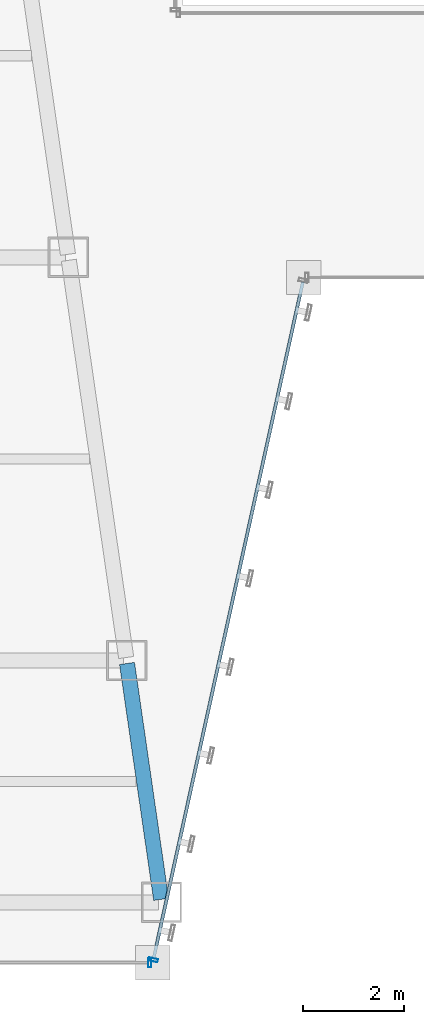
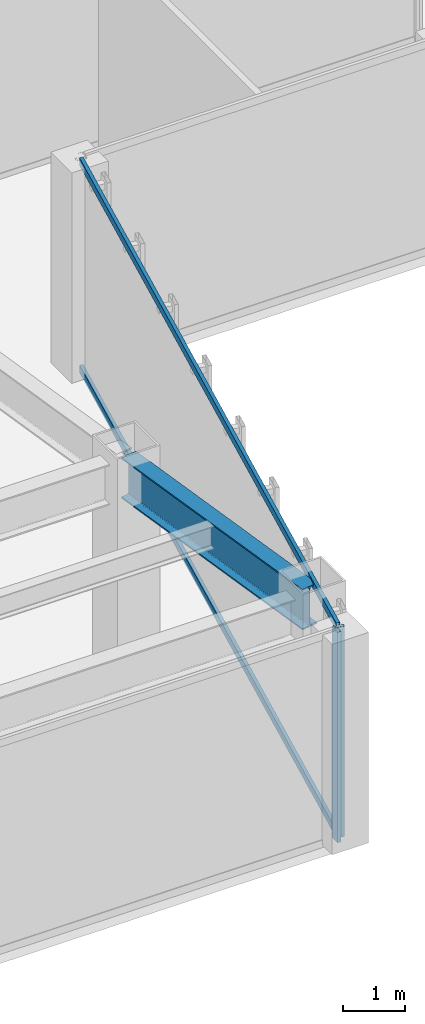
# One storey, part 7 of 47: 4 members, 1 beam, 2 elements without a shape of their own.
"""IFC4 building model written with IfcOpenShell, lengths in metres."""

from ifc_helpers import new_model, si_unit, direction, frame, origin, origin_2d, place, context, subcontext, project, spatial, hollow_rectangle, i_section, extrude, material, material_profile, profile_set, type_object, element, aggregate, save


model = new_model("IFC4")

# Units and contexts
model_context = context("Model", 3, precision=1e-05, world=origin(), true_north=direction((0.0, 1.0)))
body_context = subcontext(model_context, "Body", "Model", "MODEL_VIEW")
ifc_project = project(units=[si_unit("LENGTHUNIT", "METRE"), si_unit("AREAUNIT", "SQUARE_METRE"), si_unit("VOLUMEUNIT", "CUBIC_METRE"), si_unit("PLANEANGLEUNIT", "RADIAN"), si_unit("MASSUNIT", "GRAM", prefix="KILO")], contexts=[model_context])

# Site, building, storey
site_placement = place(None, origin())
site = spatial("IfcSite", under=ifc_project, at=site_placement, CompositionType="ELEMENT")
building_placement = place(site_placement, origin())
building = spatial("IfcBuilding", under=site, at=building_placement, Name="Saevonmaru Cultural Tower", CompositionType="ELEMENT")
storey_placement = place(building_placement, frame((0.0, 0.0, 64.800048828125)))
storey = spatial("IfcBuildingStorey", under=building, at=storey_placement, Name="L13", CompositionType="ELEMENT", Elevation=64.800048828125)

# Beam
ifc_material_1 = material(Name="Steel SM420", Category="steel")
ifc_material_profile_1 = material_profile(ifc_material_1, i_section(OverallWidth=0.300048828125, OverallDepth=0.800048828125, WebThickness=0.013916015625, FlangeThickness=0.02587890625, FilletRadius=0.028076171875, at=origin_2d()), Name="H-800x300x14x26")
ifc_profile_set_1 = profile_set([ifc_material_profile_1], Name="Steel SM420")
beam_type = type_object("IfcBeamType", Name="BM-G-H800", PredefinedType="BEAM", material=ifc_profile_set_1)
beam_placement = place(storey_placement, frame((23.768310546875, 3.259521484375, 3.75), z_axis=(-0.143083234893, 0.989710658674, 0.0), x_axis=(-0.989710658674, -0.143083234893, 0.0)))
element("IfcBeam", 1, at=beam_placement, inside=storey, type_object=beam_type, Name="L13 West Atrium Girder 1", PredefinedType="BEAM", context=body_context, shape_type="SweptSolid", body=[
    extrude(i_section(OverallWidth=0.300048828125, OverallDepth=0.800048828125, WebThickness=0.013916015625, FlangeThickness=0.02587890625, FilletRadius=0.028076171875, at=origin_2d()), origin(), (0.0, 0.0, 1.0), 4.729736328125),
])

# Curtain wall, member
ifc_material_2 = material(Name="Satin Bronze Anodised Aluminium", Category="aluminium")
curtain_wall_type = type_object("IfcCurtainWallType", Name="CW-TYP-A", PredefinedType="NOTDEFINED", material=ifc_material_2)
curtain_wall_1_placement = place(storey_placement, origin())
curtain_wall_1 = element("IfcCurtainWall", 2, at=curtain_wall_1_placement, inside=storey, type_object=curtain_wall_type, Name="L13 Unitised Curtain Wall E2", PredefinedType="NOTDEFINED")
ifc_material_profile_2 = material_profile(ifc_material_2, hollow_rectangle(XDim=0.06494140625, YDim=0.179931640625, WallThickness=0.00390625, at=origin_2d()), Name="ALU-MULL-180x65x4")
ifc_profile_set_2 = profile_set([ifc_material_profile_2], Name="Satin Bronze Anodised Aluminium")
member_type_1 = type_object("IfcMemberType", Name="ML-CW-180x65", PredefinedType="MULLION", material=ifc_profile_set_2)
member_1_placement = place(storey_placement, frame((23.5400390625, 2.0, 0.0), z_axis=(0.0, 0.0, 1.0), x_axis=(1.0, 0.0, 0.0)))
member_1 = element("IfcMember", 3, at=member_1_placement, type_object=member_type_1, Name="CW-TW-L13-E2 mullion 2", PredefinedType="MULLION", context=body_context, shape_type="SweptSolid", body=[
    extrude(hollow_rectangle(XDim=0.06494140625, YDim=0.179931640625, WallThickness=0.00390625, at=origin_2d()), origin(), (0.0, 0.0, 1.0), 4.14990234375),
])
aggregate(curtain_wall_1, [member_1])

# Curtain wall, members
curtain_wall_2_placement = place(storey_placement, origin())
curtain_wall_2 = element("IfcCurtainWall", 4, at=curtain_wall_2_placement, inside=storey, type_object=curtain_wall_type, Name="L13 Unitised Curtain Wall E3", PredefinedType="NOTDEFINED")
member_2_placement = place(storey_placement, frame((23.61279296875, 2.05859375, 0.0), z_axis=(0.0, 0.0, 1.0), x_axis=(0.215413319953, 0.976522965212, 0.0)))
member_2 = element("IfcMember", 5, at=member_2_placement, type_object=member_type_1, Name="CW-TW-L13-E3 mullion 1", PredefinedType="MULLION", context=body_context, shape_type="SweptSolid", body=[
    extrude(hollow_rectangle(XDim=0.06494140625, YDim=0.179931640625, WallThickness=0.00390625, at=origin_2d()), origin(), (0.0, 0.0, 1.0), 4.14990234375),
])
ifc_material_profile_3 = material_profile(ifc_material_2, hollow_rectangle(XDim=0.06494140625, YDim=0.14990234375, WallThickness=0.00390625, at=origin_2d()), Name="ALU-TRAN-150x65x4")
ifc_profile_set_3 = profile_set([ifc_material_profile_3], Name="Satin Bronze Anodised Aluminium")
member_type_2 = type_object("IfcMemberType", Name="TR-CW-150x65", PredefinedType="USERDEFINED", material=ifc_profile_set_3)
member_3_placement = place(storey_placement, frame((23.619873046875, 2.09033203125, 0.032470703125), z_axis=(0.21541214732, 0.976523223885, 0.0), x_axis=(-0.976523223885, 0.21541214732, 0.0)))
member_3 = element("IfcMember", 6, at=member_3_placement, type_object=member_type_2, Name="CW-TW-L13-E3 transom 1.1", ObjectType="TRANSOM", PredefinedType="USERDEFINED", context=body_context, shape_type="SweptSolid", body=[
    extrude(hollow_rectangle(XDim=0.06494140625, YDim=0.14990234375, WallThickness=0.00390625, at=origin_2d()), origin(), (0.0, 0.0, 1.0), 13.741943359375),
])
member_4_placement = place(storey_placement, frame((23.619873046875, 2.09033203125, 4.117431640625), z_axis=(0.21541214732, 0.976523223885, 0.0), x_axis=(-0.976523223885, 0.21541214732, 0.0)))
member_4 = element("IfcMember", 7, at=member_4_placement, type_object=member_type_2, Name="CW-TW-L13-E3 transom 1.2", ObjectType="TRANSOM", PredefinedType="USERDEFINED", context=body_context, shape_type="SweptSolid", body=[
    extrude(hollow_rectangle(XDim=0.06494140625, YDim=0.14990234375, WallThickness=0.00390625, at=origin_2d()), origin(), (0.0, 0.0, 1.0), 13.741943359375),
])
aggregate(curtain_wall_2, [member_2, member_3, member_4])

save(model, "model.ifc")
